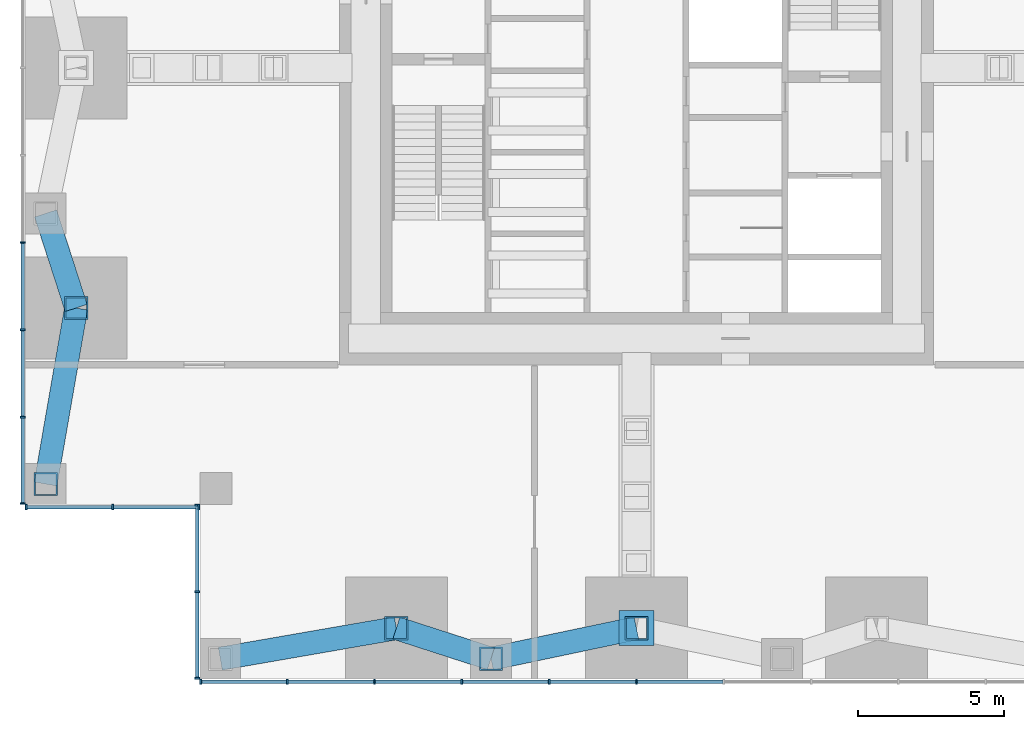
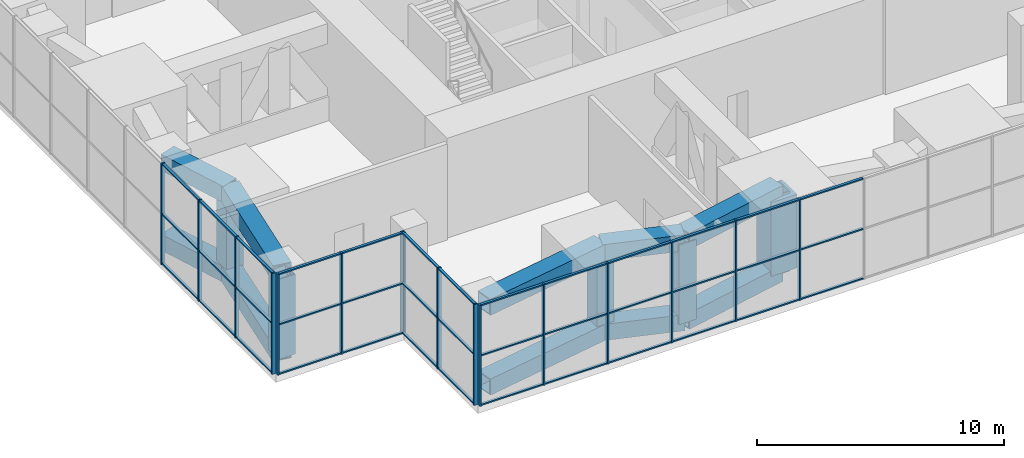
# One storey, part 2 of 13: 71 members, 4 elements without a shape of their own.
"""IFC4 building model written with IfcOpenShell, lengths in metres."""

from ifc_helpers import new_model, si_unit, direction, frame, origin, origin_2d, place, context, subcontext, project, spatial, rectangle, hollow_rectangle, extrude, material, material_profile, profile_set, type_object, element, aggregate, save


model = new_model("IFC4")

# Units and contexts
model_context = context("Model", 3, precision=1e-05, world=origin(), true_north=direction((0.0, 1.0)))
body_context = subcontext(model_context, "Body", "Model", "MODEL_VIEW")
ifc_project = project(units=[si_unit("LENGTHUNIT", "METRE"), si_unit("AREAUNIT", "SQUARE_METRE"), si_unit("VOLUMEUNIT", "CUBIC_METRE"), si_unit("PLANEANGLEUNIT", "RADIAN"), si_unit("MASSUNIT", "GRAM", prefix="KILO")], contexts=[model_context])

# Site, building, storey
site_placement = place(None, origin())
site = spatial("IfcSite", under=ifc_project, at=site_placement, CompositionType="ELEMENT")
building_placement = place(site_placement, origin())
building = spatial("IfcBuilding", under=site, at=building_placement, Name="Svetlomir Tower", CompositionType="ELEMENT")
storey_placement = place(building_placement, frame((0.0, 0.0, 86.5)))
storey = spatial("IfcBuildingStorey", under=building, at=storey_placement, Name="L20", CompositionType="ELEMENT", Elevation=86.5)

# Members
ifc_material_1 = material(Name="Steel S355", Category="steel")
ifc_material_profile_1 = material_profile(ifc_material_1, hollow_rectangle(XDim=0.800048828125, YDim=0.800048828125, WallThickness=0.050048828125, at=origin_2d()), Name="BOX 800x800x50")
ifc_profile_set_1 = profile_set([ifc_material_profile_1], Name="Steel S355")
member_type_1 = type_object("IfcMemberType", Name="BELT FRAME CHORD BOX 800x800x50", PredefinedType="CHORD", material=ifc_profile_set_1)
for number, where, z_axis, x_axis, name in (
    (1, (6.699951171875, 0.699951171875, 0.39990234375), (0.985270350891, 0.171003905378, 0.0), (-0.171003905378, 0.985270350891, 0.0), "Belt frame S L20 bottom chord 1"),
    (2, (6.699951171875, 0.699951171875, 4.35009765625), (0.985270350891, 0.171003905378, 0.0), (-0.171003905378, 0.985270350891, 0.0), "Belt frame S L20 top chord 1"),
):
    element("IfcMember", number, at=place(storey_placement, frame(where, z_axis=z_axis, x_axis=x_axis)), inside=storey, type_object=member_type_1, Name=name, PredefinedType="CHORD", context=body_context, shape_type="SweptSolid", body=[
        extrude(hollow_rectangle(XDim=0.800048828125, YDim=0.800048828125, WallThickness=0.050048828125, at=origin_2d()), origin(), (0.0, 0.0, 1.0), 6.140380859375),
    ])
for number, where, z_axis, x_axis, name in (
    (3, (12.75, 1.75, 0.39990234375), (0.951566360503, -0.307443428225, 0.0), (0.307443428225, 0.951566360503, 0.0), "Belt frame S L20 bottom chord 2"),
    (4, (12.75, 1.75, 4.35009765625), (0.951566360503, -0.307443428225, 0.0), (0.307443428225, 0.951566360503, 0.0), "Belt frame S L20 top chord 2"),
):
    element("IfcMember", number, at=place(storey_placement, frame(where, z_axis=z_axis, x_axis=x_axis)), inside=storey, type_object=member_type_1, Name=name, PredefinedType="CHORD", context=body_context, shape_type="SweptSolid", body=[
        extrude(hollow_rectangle(XDim=0.800048828125, YDim=0.800048828125, WallThickness=0.050048828125, at=origin_2d()), origin(), (0.0, 0.0, 1.0), 3.41552734375),
    ])
for number, where, z_axis, x_axis, name in (
    (5, (16.0, 0.699951171875, 0.39990234375), (0.978651574329, 0.205526387753, 0.0), (-0.205526387753, 0.978651574329, 0.0), "Belt frame S L20 bottom chord 3"),
    (6, (16.0, 0.699951171875, 4.35009765625), (0.978651574329, 0.205526387753, 0.0), (-0.205526387753, 0.978651574329, 0.0), "Belt frame S L20 top chord 3"),
):
    element("IfcMember", number, at=place(storey_placement, frame(where, z_axis=z_axis, x_axis=x_axis)), inside=storey, type_object=member_type_1, Name=name, PredefinedType="CHORD", context=body_context, shape_type="SweptSolid", body=[
        extrude(hollow_rectangle(XDim=0.800048828125, YDim=0.800048828125, WallThickness=0.050048828125, at=origin_2d()), origin(), (0.0, 0.0, 1.0), 5.109130859375),
    ])
for number, where, z_axis, x_axis, name in (
    (7, (0.699951171875, 6.699951171875, 0.39990234375), (0.171003905378, 0.985270350891, 0.0), (-0.985270350891, 0.171003905378, 0.0), "Belt frame W L20 bottom chord 1"),
    (8, (0.699951171875, 6.699951171875, 4.35009765625), (0.171003905378, 0.985270350891, 0.0), (-0.985270350891, 0.171003905378, 0.0), "Belt frame W L20 top chord 1"),
):
    element("IfcMember", number, at=place(storey_placement, frame(where, z_axis=z_axis, x_axis=x_axis)), inside=storey, type_object=member_type_1, Name=name, PredefinedType="CHORD", context=body_context, shape_type="SweptSolid", body=[
        extrude(hollow_rectangle(XDim=0.800048828125, YDim=0.800048828125, WallThickness=0.050048828125, at=origin_2d()), origin(), (0.0, 0.0, 1.0), 6.140380859375),
    ])
for number, where, z_axis, x_axis, name in (
    (9, (1.75, 12.75, 0.39990234375), (-0.307443428225, 0.951566360503, 0.0), (-0.951566360503, -0.307443428225, 0.0), "Belt frame W L20 bottom chord 2"),
    (10, (1.75, 12.75, 4.35009765625), (-0.307443428225, 0.951566360503, 0.0), (-0.951566360503, -0.307443428225, 0.0), "Belt frame W L20 top chord 2"),
):
    element("IfcMember", number, at=place(storey_placement, frame(where, z_axis=z_axis, x_axis=x_axis)), inside=storey, type_object=member_type_1, Name=name, PredefinedType="CHORD", context=body_context, shape_type="SweptSolid", body=[
        extrude(hollow_rectangle(XDim=0.800048828125, YDim=0.800048828125, WallThickness=0.050048828125, at=origin_2d()), origin(), (0.0, 0.0, 1.0), 3.41552734375),
    ])
ifc_material_2 = material(Name="Steel S355", Category="steel")
ifc_material_profile_2 = material_profile(ifc_material_2, hollow_rectangle(XDim=0.800048828125, YDim=0.800048828125, WallThickness=0.050048828125, at=origin_2d()), Name="BOX 800x800x50")
ifc_profile_set_2 = profile_set([ifc_material_profile_2], Name="Steel S355")
member_type_2 = type_object("IfcMemberType", Name="BELT FRAME POST BOX 800x800x50", PredefinedType="POST", material=ifc_profile_set_2)
for number, where, z_axis, x_axis, name in (
    (11, (12.75, 1.75, 0.39990234375), (0.0, 0.0, 1.0), (1.0, 0.0, 0.0), "Belt frame S L20 post 2"),
    (12, (16.0, 0.699951171875, 0.39990234375), (0.0, 0.0, 1.0), (1.0, 0.0, 0.0), "Belt frame S L20 post 3"),
    (13, (21.0, 1.75, 0.39990234375), (0.0, 0.0, 1.0), (1.0, 0.0, 0.0), "Belt frame S L20 post 4"),
    (14, (0.699951171875, 6.699951171875, 0.39990234375), (0.0, 0.0, 1.0), (1.0, 0.0, 0.0), "Belt frame W L20 post 1"),
    (15, (1.75, 12.75, 0.39990234375), (0.0, 0.0, 1.0), (1.0, 0.0, 0.0), "Belt frame W L20 post 2"),
):
    element("IfcMember", number, at=place(storey_placement, frame(where, z_axis=z_axis, x_axis=x_axis)), inside=storey, type_object=member_type_2, Name=name, PredefinedType="POST", context=body_context, shape_type="SweptSolid", body=[
        extrude(hollow_rectangle(XDim=0.800048828125, YDim=0.800048828125, WallThickness=0.050048828125, at=origin_2d()), origin(), (0.0, 0.0, 1.0), 3.9501953125),
    ])

# Curtain wall, members
ifc_material_3 = material(Name="Bronze anodised aluminium curtain wall", Category="aluminium")
curtain_wall_type = type_object("IfcCurtainWallType", Name="CURTAIN WALL CW3 PLANT LOUVRE", PredefinedType="NOTDEFINED", material=ifc_material_3)
curtain_wall_1_placement = place(storey_placement, origin())
curtain_wall_1 = element("IfcCurtainWall", 16, at=curtain_wall_1_placement, inside=storey, type_object=curtain_wall_type, Name="Curtain wall CW3 L20", PredefinedType="NOTDEFINED")
ifc_material_4 = material(Name="Bronze anodised aluminium", Category="aluminium")
ifc_material_profile_3 = material_profile(ifc_material_4, rectangle(XDim=0.06494140625, YDim=0.179931640625, at=origin_2d()), Name="AL 65x180")
ifc_profile_set_3 = profile_set([ifc_material_profile_3], Name="Bronze anodised aluminium 6063-T6")
member_type_3 = type_object("IfcMemberType", Name="CW3 MULLION 65x180", PredefinedType="MULLION", material=ifc_profile_set_3)
member_1_placement = place(storey_placement, frame((6.032470703125, -0.090087890625, 0.0), z_axis=(0.0, 0.0, 1.0), x_axis=(1.0, 0.0, 0.0)))
member_1 = element("IfcMember", 17, at=member_1_placement, type_object=member_type_3, Name="CW3 mullion 1", PredefinedType="MULLION", context=body_context, shape_type="SweptSolid", body=[
    extrude(rectangle(XDim=0.06494140625, YDim=0.179931640625, at=origin_2d()), origin(), (0.0, 0.0, 1.0), 5.0),
])
member_2_placement = place(storey_placement, frame((9.0, -0.090087890625, 0.0), z_axis=(0.0, 0.0, 1.0), x_axis=(1.0, 0.0, 0.0)))
member_2 = element("IfcMember", 18, at=member_2_placement, type_object=member_type_3, Name="CW3 mullion 2", PredefinedType="MULLION", context=body_context, shape_type="SweptSolid", body=[
    extrude(rectangle(XDim=0.06494140625, YDim=0.179931640625, at=origin_2d()), origin(), (0.0, 0.0, 1.0), 5.0),
])
member_3_placement = place(storey_placement, frame((12.0, -0.090087890625, 0.0), z_axis=(0.0, 0.0, 1.0), x_axis=(1.0, 0.0, 0.0)))
member_3 = element("IfcMember", 19, at=member_3_placement, type_object=member_type_3, Name="CW3 mullion 3", PredefinedType="MULLION", context=body_context, shape_type="SweptSolid", body=[
    extrude(rectangle(XDim=0.06494140625, YDim=0.179931640625, at=origin_2d()), origin(), (0.0, 0.0, 1.0), 5.0),
])
member_4_placement = place(storey_placement, frame((15.0, -0.090087890625, 0.0), z_axis=(0.0, 0.0, 1.0), x_axis=(1.0, 0.0, 0.0)))
member_4 = element("IfcMember", 20, at=member_4_placement, type_object=member_type_3, Name="CW3 mullion 4", PredefinedType="MULLION", context=body_context, shape_type="SweptSolid", body=[
    extrude(rectangle(XDim=0.06494140625, YDim=0.179931640625, at=origin_2d()), origin(), (0.0, 0.0, 1.0), 5.0),
])
member_5_placement = place(storey_placement, frame((18.0, -0.090087890625, 0.0), z_axis=(0.0, 0.0, 1.0), x_axis=(1.0, 0.0, 0.0)))
member_5 = element("IfcMember", 21, at=member_5_placement, type_object=member_type_3, Name="CW3 mullion 5", PredefinedType="MULLION", context=body_context, shape_type="SweptSolid", body=[
    extrude(rectangle(XDim=0.06494140625, YDim=0.179931640625, at=origin_2d()), origin(), (0.0, 0.0, 1.0), 5.0),
])
member_6_placement = place(storey_placement, frame((21.0, -0.090087890625, 0.0), z_axis=(0.0, 0.0, 1.0), x_axis=(1.0, 0.0, 0.0)))
member_6 = element("IfcMember", 22, at=member_6_placement, type_object=member_type_3, Name="CW3 mullion 6", PredefinedType="MULLION", context=body_context, shape_type="SweptSolid", body=[
    extrude(rectangle(XDim=0.06494140625, YDim=0.179931640625, at=origin_2d()), origin(), (0.0, 0.0, 1.0), 5.0),
])

curtain_wall_2_placement = place(storey_placement, origin())
curtain_wall_2 = element("IfcCurtainWall", 23, at=curtain_wall_2_placement, inside=storey, type_object=curtain_wall_type, Name="Curtain wall CW3 L20", PredefinedType="NOTDEFINED")
member_7_placement = place(storey_placement, frame((-0.090087890625, 15.0, 0.0), z_axis=(0.0, 0.0, 1.0), x_axis=(0.0, -1.0, 0.0)))
member_7 = element("IfcMember", 24, at=member_7_placement, type_object=member_type_3, Name="CW3 mullion 8", PredefinedType="MULLION", context=body_context, shape_type="SweptSolid", body=[
    extrude(rectangle(XDim=0.06494140625, YDim=0.179931640625, at=origin_2d()), origin(), (0.0, 0.0, 1.0), 5.0),
])
member_8_placement = place(storey_placement, frame((-0.090087890625, 12.0, 0.0), z_axis=(0.0, 0.0, 1.0), x_axis=(0.0, -1.0, 0.0)))
member_8 = element("IfcMember", 25, at=member_8_placement, type_object=member_type_3, Name="CW3 mullion 9", PredefinedType="MULLION", context=body_context, shape_type="SweptSolid", body=[
    extrude(rectangle(XDim=0.06494140625, YDim=0.179931640625, at=origin_2d()), origin(), (0.0, 0.0, 1.0), 5.0),
])
member_9_placement = place(storey_placement, frame((-0.090087890625, 9.0, 0.0), z_axis=(0.0, 0.0, 1.0), x_axis=(0.0, -1.0, 0.0)))
member_9 = element("IfcMember", 26, at=member_9_placement, type_object=member_type_3, Name="CW3 mullion 10", PredefinedType="MULLION", context=body_context, shape_type="SweptSolid", body=[
    extrude(rectangle(XDim=0.06494140625, YDim=0.179931640625, at=origin_2d()), origin(), (0.0, 0.0, 1.0), 5.0),
])
member_10_placement = place(storey_placement, frame((-0.090087890625, 6.032470703125, 0.0), z_axis=(0.0, 0.0, 1.0), x_axis=(0.0, -1.0, 0.0)))
member_10 = element("IfcMember", 27, at=member_10_placement, type_object=member_type_3, Name="CW3 mullion 11", PredefinedType="MULLION", context=body_context, shape_type="SweptSolid", body=[
    extrude(rectangle(XDim=0.06494140625, YDim=0.179931640625, at=origin_2d()), origin(), (0.0, 0.0, 1.0), 5.0),
])

curtain_wall_3_placement = place(storey_placement, origin())
curtain_wall_3 = element("IfcCurtainWall", 28, at=curtain_wall_3_placement, inside=storey, type_object=curtain_wall_type, Name="Curtain wall CW3 L20", PredefinedType="NOTDEFINED")
member_11_placement = place(storey_placement, frame((0.032470703125, 5.909912109375, 0.0), z_axis=(0.0, 0.0, 1.0), x_axis=(1.0, 0.0, 0.0)))
member_11 = element("IfcMember", 29, at=member_11_placement, type_object=member_type_3, Name="CW3 mullion 1", PredefinedType="MULLION", context=body_context, shape_type="SweptSolid", body=[
    extrude(rectangle(XDim=0.06494140625, YDim=0.179931640625, at=origin_2d()), origin(), (0.0, 0.0, 1.0), 5.0),
])
member_12_placement = place(storey_placement, frame((3.0, 5.909912109375, 0.0), z_axis=(0.0, 0.0, 1.0), x_axis=(1.0, 0.0, 0.0)))
member_12 = element("IfcMember", 30, at=member_12_placement, type_object=member_type_3, Name="CW3 mullion 2", PredefinedType="MULLION", context=body_context, shape_type="SweptSolid", body=[
    extrude(rectangle(XDim=0.06494140625, YDim=0.179931640625, at=origin_2d()), origin(), (0.0, 0.0, 1.0), 5.0),
])
member_13_placement = place(storey_placement, frame((5.967529296875, 5.909912109375, 0.0), z_axis=(0.0, 0.0, 1.0), x_axis=(1.0, 0.0, 0.0)))
member_13 = element("IfcMember", 31, at=member_13_placement, type_object=member_type_3, Name="CW3 mullion 3", PredefinedType="MULLION", context=body_context, shape_type="SweptSolid", body=[
    extrude(rectangle(XDim=0.06494140625, YDim=0.179931640625, at=origin_2d()), origin(), (0.0, 0.0, 1.0), 5.0),
])

curtain_wall_4_placement = place(storey_placement, origin())
curtain_wall_4 = element("IfcCurtainWall", 32, at=curtain_wall_4_placement, inside=storey, type_object=curtain_wall_type, Name="Curtain wall CW3 L20", PredefinedType="NOTDEFINED")
member_14_placement = place(storey_placement, frame((5.909912109375, 5.967529296875, 0.0), z_axis=(0.0, 0.0, 1.0), x_axis=(0.0, -1.0, 0.0)))
member_14 = element("IfcMember", 33, at=member_14_placement, type_object=member_type_3, Name="CW3 mullion 1", PredefinedType="MULLION", context=body_context, shape_type="SweptSolid", body=[
    extrude(rectangle(XDim=0.06494140625, YDim=0.179931640625, at=origin_2d()), origin(), (0.0, 0.0, 1.0), 5.0),
])
member_15_placement = place(storey_placement, frame((5.909912109375, 3.0, 0.0), z_axis=(0.0, 0.0, 1.0), x_axis=(0.0, -1.0, 0.0)))
member_15 = element("IfcMember", 34, at=member_15_placement, type_object=member_type_3, Name="CW3 mullion 2", PredefinedType="MULLION", context=body_context, shape_type="SweptSolid", body=[
    extrude(rectangle(XDim=0.06494140625, YDim=0.179931640625, at=origin_2d()), origin(), (0.0, 0.0, 1.0), 5.0),
])
member_16_placement = place(storey_placement, frame((5.909912109375, 0.032470703125, 0.0), z_axis=(0.0, 0.0, 1.0), x_axis=(0.0, -1.0, 0.0)))
member_16 = element("IfcMember", 35, at=member_16_placement, type_object=member_type_3, Name="CW3 mullion 3", PredefinedType="MULLION", context=body_context, shape_type="SweptSolid", body=[
    extrude(rectangle(XDim=0.06494140625, YDim=0.179931640625, at=origin_2d()), origin(), (0.0, 0.0, 1.0), 5.0),
])

# Member
ifc_material_5 = material(Name="Bronze anodised aluminium", Category="aluminium")
ifc_material_profile_4 = material_profile(ifc_material_5, rectangle(XDim=0.1201171875, YDim=0.06494140625, at=origin_2d()), Name="AL 120x65")
ifc_profile_set_4 = profile_set([ifc_material_profile_4], Name="Bronze anodised aluminium 6063-T6")
member_type_4 = type_object("IfcMemberType", Name="CW3 TRANSOM 65x120", PredefinedType="USERDEFINED", material=ifc_profile_set_4)
member_17_placement = place(storey_placement, frame((6.06494140625, -0.090087890625, 0.032470703125), z_axis=(1.0, 0.0, 0.0), x_axis=(0.0, 1.0, 0.0)))
member_17 = element("IfcMember", 36, at=member_17_placement, type_object=member_type_4, Name="CW3 transom 1.1", ObjectType="TRANSOM", PredefinedType="USERDEFINED", context=body_context, shape_type="SweptSolid", body=[
    extrude(rectangle(XDim=0.1201171875, YDim=0.06494140625, at=origin_2d()), origin(), (0.0, 0.0, 1.0), 2.902587890625),
])

member_18_placement = place(storey_placement, frame((6.06494140625, -0.090087890625, 2.48388671875), z_axis=(1.0, 0.0, 0.0), x_axis=(0.0, 1.0, 0.0)))
member_18 = element("IfcMember", 37, at=member_18_placement, type_object=member_type_4, Name="CW3 transom 1.2", ObjectType="TRANSOM", PredefinedType="USERDEFINED", context=body_context, shape_type="SweptSolid", body=[
    extrude(rectangle(XDim=0.1201171875, YDim=0.06494140625, at=origin_2d()), origin(), (0.0, 0.0, 1.0), 2.902587890625),
])

member_19_placement = place(storey_placement, frame((6.06494140625, -0.090087890625, 4.967529296875), z_axis=(1.0, 0.0, 0.0), x_axis=(0.0, 1.0, 0.0)))
member_19 = element("IfcMember", 38, at=member_19_placement, type_object=member_type_4, Name="CW3 transom 1.3", ObjectType="TRANSOM", PredefinedType="USERDEFINED", context=body_context, shape_type="SweptSolid", body=[
    extrude(rectangle(XDim=0.1201171875, YDim=0.06494140625, at=origin_2d()), origin(), (0.0, 0.0, 1.0), 2.902587890625),
])

member_20_placement = place(storey_placement, frame((9.032470703125, -0.090087890625, 0.032470703125), z_axis=(1.0, 0.0, 0.0), x_axis=(0.0, 1.0, 0.0)))
member_20 = element("IfcMember", 39, at=member_20_placement, type_object=member_type_4, Name="CW3 transom 2.1", ObjectType="TRANSOM", PredefinedType="USERDEFINED", context=body_context, shape_type="SweptSolid", body=[
    extrude(rectangle(XDim=0.1201171875, YDim=0.06494140625, at=origin_2d()), origin(), (0.0, 0.0, 1.0), 2.93505859375),
])

member_21_placement = place(storey_placement, frame((9.032470703125, -0.090087890625, 2.48388671875), z_axis=(1.0, 0.0, 0.0), x_axis=(0.0, 1.0, 0.0)))
member_21 = element("IfcMember", 40, at=member_21_placement, type_object=member_type_4, Name="CW3 transom 2.2", ObjectType="TRANSOM", PredefinedType="USERDEFINED", context=body_context, shape_type="SweptSolid", body=[
    extrude(rectangle(XDim=0.1201171875, YDim=0.06494140625, at=origin_2d()), origin(), (0.0, 0.0, 1.0), 2.93505859375),
])

member_22_placement = place(storey_placement, frame((9.032470703125, -0.090087890625, 4.967529296875), z_axis=(1.0, 0.0, 0.0), x_axis=(0.0, 1.0, 0.0)))
member_22 = element("IfcMember", 41, at=member_22_placement, type_object=member_type_4, Name="CW3 transom 2.3", ObjectType="TRANSOM", PredefinedType="USERDEFINED", context=body_context, shape_type="SweptSolid", body=[
    extrude(rectangle(XDim=0.1201171875, YDim=0.06494140625, at=origin_2d()), origin(), (0.0, 0.0, 1.0), 2.93505859375),
])

member_23_placement = place(storey_placement, frame((12.032470703125, -0.090087890625, 0.032470703125), z_axis=(1.0, 0.0, 0.0), x_axis=(0.0, 1.0, 0.0)))
member_23 = element("IfcMember", 42, at=member_23_placement, type_object=member_type_4, Name="CW3 transom 3.1", ObjectType="TRANSOM", PredefinedType="USERDEFINED", context=body_context, shape_type="SweptSolid", body=[
    extrude(rectangle(XDim=0.1201171875, YDim=0.06494140625, at=origin_2d()), origin(), (0.0, 0.0, 1.0), 2.93505859375),
])

member_24_placement = place(storey_placement, frame((12.032470703125, -0.090087890625, 2.48388671875), z_axis=(1.0, 0.0, 0.0), x_axis=(0.0, 1.0, 0.0)))
member_24 = element("IfcMember", 43, at=member_24_placement, type_object=member_type_4, Name="CW3 transom 3.2", ObjectType="TRANSOM", PredefinedType="USERDEFINED", context=body_context, shape_type="SweptSolid", body=[
    extrude(rectangle(XDim=0.1201171875, YDim=0.06494140625, at=origin_2d()), origin(), (0.0, 0.0, 1.0), 2.93505859375),
])

member_25_placement = place(storey_placement, frame((12.032470703125, -0.090087890625, 4.967529296875), z_axis=(1.0, 0.0, 0.0), x_axis=(0.0, 1.0, 0.0)))
member_25 = element("IfcMember", 44, at=member_25_placement, type_object=member_type_4, Name="CW3 transom 3.3", ObjectType="TRANSOM", PredefinedType="USERDEFINED", context=body_context, shape_type="SweptSolid", body=[
    extrude(rectangle(XDim=0.1201171875, YDim=0.06494140625, at=origin_2d()), origin(), (0.0, 0.0, 1.0), 2.93505859375),
])

member_26_placement = place(storey_placement, frame((15.032470703125, -0.090087890625, 0.032470703125), z_axis=(1.0, 0.0, 0.0), x_axis=(0.0, 1.0, 0.0)))
member_26 = element("IfcMember", 45, at=member_26_placement, type_object=member_type_4, Name="CW3 transom 4.1", ObjectType="TRANSOM", PredefinedType="USERDEFINED", context=body_context, shape_type="SweptSolid", body=[
    extrude(rectangle(XDim=0.1201171875, YDim=0.06494140625, at=origin_2d()), origin(), (0.0, 0.0, 1.0), 2.93505859375),
])

member_27_placement = place(storey_placement, frame((15.032470703125, -0.090087890625, 2.48388671875), z_axis=(1.0, 0.0, 0.0), x_axis=(0.0, 1.0, 0.0)))
member_27 = element("IfcMember", 46, at=member_27_placement, type_object=member_type_4, Name="CW3 transom 4.2", ObjectType="TRANSOM", PredefinedType="USERDEFINED", context=body_context, shape_type="SweptSolid", body=[
    extrude(rectangle(XDim=0.1201171875, YDim=0.06494140625, at=origin_2d()), origin(), (0.0, 0.0, 1.0), 2.93505859375),
])

member_28_placement = place(storey_placement, frame((15.032470703125, -0.090087890625, 4.967529296875), z_axis=(1.0, 0.0, 0.0), x_axis=(0.0, 1.0, 0.0)))
member_28 = element("IfcMember", 47, at=member_28_placement, type_object=member_type_4, Name="CW3 transom 4.3", ObjectType="TRANSOM", PredefinedType="USERDEFINED", context=body_context, shape_type="SweptSolid", body=[
    extrude(rectangle(XDim=0.1201171875, YDim=0.06494140625, at=origin_2d()), origin(), (0.0, 0.0, 1.0), 2.93505859375),
])

member_29_placement = place(storey_placement, frame((18.032470703125, -0.090087890625, 0.032470703125), z_axis=(1.0, 0.0, 0.0), x_axis=(0.0, 1.0, 0.0)))
member_29 = element("IfcMember", 48, at=member_29_placement, type_object=member_type_4, Name="CW3 transom 5.1", ObjectType="TRANSOM", PredefinedType="USERDEFINED", context=body_context, shape_type="SweptSolid", body=[
    extrude(rectangle(XDim=0.1201171875, YDim=0.06494140625, at=origin_2d()), origin(), (0.0, 0.0, 1.0), 2.93505859375),
])

member_30_placement = place(storey_placement, frame((18.032470703125, -0.090087890625, 2.48388671875), z_axis=(1.0, 0.0, 0.0), x_axis=(0.0, 1.0, 0.0)))
member_30 = element("IfcMember", 49, at=member_30_placement, type_object=member_type_4, Name="CW3 transom 5.2", ObjectType="TRANSOM", PredefinedType="USERDEFINED", context=body_context, shape_type="SweptSolid", body=[
    extrude(rectangle(XDim=0.1201171875, YDim=0.06494140625, at=origin_2d()), origin(), (0.0, 0.0, 1.0), 2.93505859375),
])

member_31_placement = place(storey_placement, frame((18.032470703125, -0.090087890625, 4.967529296875), z_axis=(1.0, 0.0, 0.0), x_axis=(0.0, 1.0, 0.0)))
member_31 = element("IfcMember", 50, at=member_31_placement, type_object=member_type_4, Name="CW3 transom 5.3", ObjectType="TRANSOM", PredefinedType="USERDEFINED", context=body_context, shape_type="SweptSolid", body=[
    extrude(rectangle(XDim=0.1201171875, YDim=0.06494140625, at=origin_2d()), origin(), (0.0, 0.0, 1.0), 2.93505859375),
])

member_32_placement = place(storey_placement, frame((21.032470703125, -0.090087890625, 0.032470703125), z_axis=(1.0, 0.0, 0.0), x_axis=(0.0, 1.0, 0.0)))
member_32 = element("IfcMember", 51, at=member_32_placement, type_object=member_type_4, Name="CW3 transom 6.1", ObjectType="TRANSOM", PredefinedType="USERDEFINED", context=body_context, shape_type="SweptSolid", body=[
    extrude(rectangle(XDim=0.1201171875, YDim=0.06494140625, at=origin_2d()), origin(), (0.0, 0.0, 1.0), 2.93505859375),
])

member_33_placement = place(storey_placement, frame((21.032470703125, -0.090087890625, 2.48388671875), z_axis=(1.0, 0.0, 0.0), x_axis=(0.0, 1.0, 0.0)))
member_33 = element("IfcMember", 52, at=member_33_placement, type_object=member_type_4, Name="CW3 transom 6.2", ObjectType="TRANSOM", PredefinedType="USERDEFINED", context=body_context, shape_type="SweptSolid", body=[
    extrude(rectangle(XDim=0.1201171875, YDim=0.06494140625, at=origin_2d()), origin(), (0.0, 0.0, 1.0), 2.93505859375),
])

member_34_placement = place(storey_placement, frame((21.032470703125, -0.090087890625, 4.967529296875), z_axis=(1.0, 0.0, 0.0), x_axis=(0.0, 1.0, 0.0)))
member_34 = element("IfcMember", 53, at=member_34_placement, type_object=member_type_4, Name="CW3 transom 6.3", ObjectType="TRANSOM", PredefinedType="USERDEFINED", context=body_context, shape_type="SweptSolid", body=[
    extrude(rectangle(XDim=0.1201171875, YDim=0.06494140625, at=origin_2d()), origin(), (0.0, 0.0, 1.0), 2.93505859375),
])

aggregate(curtain_wall_1, [member_1, member_2, member_3, member_4, member_5, member_6, member_17, member_18, member_19, member_20, member_21, member_22, member_23, member_24, member_25, member_26, member_27, member_28, member_29, member_30, member_31, member_32, member_33, member_34])

member_35_placement = place(storey_placement, frame((-0.090087890625, 14.967529296875, 0.032470703125), z_axis=(0.0, -1.0, 0.0), x_axis=(1.0, 0.0, 0.0)))
member_35 = element("IfcMember", 54, at=member_35_placement, type_object=member_type_4, Name="CW3 transom 8.1", ObjectType="TRANSOM", PredefinedType="USERDEFINED", context=body_context, shape_type="SweptSolid", body=[
    extrude(rectangle(XDim=0.1201171875, YDim=0.06494140625, at=origin_2d()), origin(), (0.0, 0.0, 1.0), 2.93505859375),
])

member_36_placement = place(storey_placement, frame((-0.090087890625, 14.967529296875, 2.48388671875), z_axis=(0.0, -1.0, 0.0), x_axis=(1.0, 0.0, 0.0)))
member_36 = element("IfcMember", 55, at=member_36_placement, type_object=member_type_4, Name="CW3 transom 8.2", ObjectType="TRANSOM", PredefinedType="USERDEFINED", context=body_context, shape_type="SweptSolid", body=[
    extrude(rectangle(XDim=0.1201171875, YDim=0.06494140625, at=origin_2d()), origin(), (0.0, 0.0, 1.0), 2.93505859375),
])

member_37_placement = place(storey_placement, frame((-0.090087890625, 14.967529296875, 4.967529296875), z_axis=(0.0, -1.0, 0.0), x_axis=(1.0, 0.0, 0.0)))
member_37 = element("IfcMember", 56, at=member_37_placement, type_object=member_type_4, Name="CW3 transom 8.3", ObjectType="TRANSOM", PredefinedType="USERDEFINED", context=body_context, shape_type="SweptSolid", body=[
    extrude(rectangle(XDim=0.1201171875, YDim=0.06494140625, at=origin_2d()), origin(), (0.0, 0.0, 1.0), 2.93505859375),
])

member_38_placement = place(storey_placement, frame((-0.090087890625, 11.967529296875, 0.032470703125), z_axis=(0.0, -1.0, 0.0), x_axis=(1.0, 0.0, 0.0)))
member_38 = element("IfcMember", 57, at=member_38_placement, type_object=member_type_4, Name="CW3 transom 9.1", ObjectType="TRANSOM", PredefinedType="USERDEFINED", context=body_context, shape_type="SweptSolid", body=[
    extrude(rectangle(XDim=0.1201171875, YDim=0.06494140625, at=origin_2d()), origin(), (0.0, 0.0, 1.0), 2.93505859375),
])

member_39_placement = place(storey_placement, frame((-0.090087890625, 11.967529296875, 2.48388671875), z_axis=(0.0, -1.0, 0.0), x_axis=(1.0, 0.0, 0.0)))
member_39 = element("IfcMember", 58, at=member_39_placement, type_object=member_type_4, Name="CW3 transom 9.2", ObjectType="TRANSOM", PredefinedType="USERDEFINED", context=body_context, shape_type="SweptSolid", body=[
    extrude(rectangle(XDim=0.1201171875, YDim=0.06494140625, at=origin_2d()), origin(), (0.0, 0.0, 1.0), 2.93505859375),
])

member_40_placement = place(storey_placement, frame((-0.090087890625, 11.967529296875, 4.967529296875), z_axis=(0.0, -1.0, 0.0), x_axis=(1.0, 0.0, 0.0)))
member_40 = element("IfcMember", 59, at=member_40_placement, type_object=member_type_4, Name="CW3 transom 9.3", ObjectType="TRANSOM", PredefinedType="USERDEFINED", context=body_context, shape_type="SweptSolid", body=[
    extrude(rectangle(XDim=0.1201171875, YDim=0.06494140625, at=origin_2d()), origin(), (0.0, 0.0, 1.0), 2.93505859375),
])

member_41_placement = place(storey_placement, frame((-0.090087890625, 8.967529296875, 0.032470703125), z_axis=(0.0, -1.0, 0.0), x_axis=(1.0, 0.0, 0.0)))
member_41 = element("IfcMember", 60, at=member_41_placement, type_object=member_type_4, Name="CW3 transom 10.1", ObjectType="TRANSOM", PredefinedType="USERDEFINED", context=body_context, shape_type="SweptSolid", body=[
    extrude(rectangle(XDim=0.1201171875, YDim=0.06494140625, at=origin_2d()), origin(), (0.0, 0.0, 1.0), 2.902587890625),
])

member_42_placement = place(storey_placement, frame((-0.090087890625, 8.967529296875, 2.48388671875), z_axis=(0.0, -1.0, 0.0), x_axis=(1.0, 0.0, 0.0)))
member_42 = element("IfcMember", 61, at=member_42_placement, type_object=member_type_4, Name="CW3 transom 10.2", ObjectType="TRANSOM", PredefinedType="USERDEFINED", context=body_context, shape_type="SweptSolid", body=[
    extrude(rectangle(XDim=0.1201171875, YDim=0.06494140625, at=origin_2d()), origin(), (0.0, 0.0, 1.0), 2.902587890625),
])

member_43_placement = place(storey_placement, frame((-0.090087890625, 8.967529296875, 4.967529296875), z_axis=(0.0, -1.0, 0.0), x_axis=(1.0, 0.0, 0.0)))
member_43 = element("IfcMember", 62, at=member_43_placement, type_object=member_type_4, Name="CW3 transom 10.3", ObjectType="TRANSOM", PredefinedType="USERDEFINED", context=body_context, shape_type="SweptSolid", body=[
    extrude(rectangle(XDim=0.1201171875, YDim=0.06494140625, at=origin_2d()), origin(), (0.0, 0.0, 1.0), 2.902587890625),
])

aggregate(curtain_wall_2, [member_7, member_8, member_9, member_10, member_35, member_36, member_37, member_38, member_39, member_40, member_41, member_42, member_43])

member_44_placement = place(storey_placement, frame((0.06494140625, 5.909912109375, 0.032470703125), z_axis=(1.0, 0.0, 0.0), x_axis=(0.0, 1.0, 0.0)))
member_44 = element("IfcMember", 63, at=member_44_placement, type_object=member_type_4, Name="CW3 transom 1.1", ObjectType="TRANSOM", PredefinedType="USERDEFINED", context=body_context, shape_type="SweptSolid", body=[
    extrude(rectangle(XDim=0.1201171875, YDim=0.06494140625, at=origin_2d()), origin(), (0.0, 0.0, 1.0), 2.902587890625),
])

member_45_placement = place(storey_placement, frame((0.06494140625, 5.909912109375, 2.48388671875), z_axis=(1.0, 0.0, 0.0), x_axis=(0.0, 1.0, 0.0)))
member_45 = element("IfcMember", 64, at=member_45_placement, type_object=member_type_4, Name="CW3 transom 1.2", ObjectType="TRANSOM", PredefinedType="USERDEFINED", context=body_context, shape_type="SweptSolid", body=[
    extrude(rectangle(XDim=0.1201171875, YDim=0.06494140625, at=origin_2d()), origin(), (0.0, 0.0, 1.0), 2.902587890625),
])

member_46_placement = place(storey_placement, frame((0.06494140625, 5.909912109375, 4.967529296875), z_axis=(1.0, 0.0, 0.0), x_axis=(0.0, 1.0, 0.0)))
member_46 = element("IfcMember", 65, at=member_46_placement, type_object=member_type_4, Name="CW3 transom 1.3", ObjectType="TRANSOM", PredefinedType="USERDEFINED", context=body_context, shape_type="SweptSolid", body=[
    extrude(rectangle(XDim=0.1201171875, YDim=0.06494140625, at=origin_2d()), origin(), (0.0, 0.0, 1.0), 2.902587890625),
])

member_47_placement = place(storey_placement, frame((3.032470703125, 5.909912109375, 0.032470703125), z_axis=(1.0, 0.0, 0.0), x_axis=(0.0, 1.0, 0.0)))
member_47 = element("IfcMember", 66, at=member_47_placement, type_object=member_type_4, Name="CW3 transom 2.1", ObjectType="TRANSOM", PredefinedType="USERDEFINED", context=body_context, shape_type="SweptSolid", body=[
    extrude(rectangle(XDim=0.1201171875, YDim=0.06494140625, at=origin_2d()), origin(), (0.0, 0.0, 1.0), 2.902587890625),
])

member_48_placement = place(storey_placement, frame((3.032470703125, 5.909912109375, 2.48388671875), z_axis=(1.0, 0.0, 0.0), x_axis=(0.0, 1.0, 0.0)))
member_48 = element("IfcMember", 67, at=member_48_placement, type_object=member_type_4, Name="CW3 transom 2.2", ObjectType="TRANSOM", PredefinedType="USERDEFINED", context=body_context, shape_type="SweptSolid", body=[
    extrude(rectangle(XDim=0.1201171875, YDim=0.06494140625, at=origin_2d()), origin(), (0.0, 0.0, 1.0), 2.902587890625),
])

member_49_placement = place(storey_placement, frame((3.032470703125, 5.909912109375, 4.967529296875), z_axis=(1.0, 0.0, 0.0), x_axis=(0.0, 1.0, 0.0)))
member_49 = element("IfcMember", 68, at=member_49_placement, type_object=member_type_4, Name="CW3 transom 2.3", ObjectType="TRANSOM", PredefinedType="USERDEFINED", context=body_context, shape_type="SweptSolid", body=[
    extrude(rectangle(XDim=0.1201171875, YDim=0.06494140625, at=origin_2d()), origin(), (0.0, 0.0, 1.0), 2.902587890625),
])

aggregate(curtain_wall_3, [member_11, member_12, member_13, member_44, member_45, member_46, member_47, member_48, member_49])

member_50_placement = place(storey_placement, frame((5.909912109375, 5.93505859375, 0.032470703125), z_axis=(0.0, -1.0, 0.0), x_axis=(1.0, 0.0, 0.0)))
member_50 = element("IfcMember", 69, at=member_50_placement, type_object=member_type_4, Name="CW3 transom 1.1", ObjectType="TRANSOM", PredefinedType="USERDEFINED", context=body_context, shape_type="SweptSolid", body=[
    extrude(rectangle(XDim=0.1201171875, YDim=0.06494140625, at=origin_2d()), origin(), (0.0, 0.0, 1.0), 2.902587890625),
])

member_51_placement = place(storey_placement, frame((5.909912109375, 5.93505859375, 2.48388671875), z_axis=(0.0, -1.0, 0.0), x_axis=(1.0, 0.0, 0.0)))
member_51 = element("IfcMember", 70, at=member_51_placement, type_object=member_type_4, Name="CW3 transom 1.2", ObjectType="TRANSOM", PredefinedType="USERDEFINED", context=body_context, shape_type="SweptSolid", body=[
    extrude(rectangle(XDim=0.1201171875, YDim=0.06494140625, at=origin_2d()), origin(), (0.0, 0.0, 1.0), 2.902587890625),
])

member_52_placement = place(storey_placement, frame((5.909912109375, 5.93505859375, 4.967529296875), z_axis=(0.0, -1.0, 0.0), x_axis=(1.0, 0.0, 0.0)))
member_52 = element("IfcMember", 71, at=member_52_placement, type_object=member_type_4, Name="CW3 transom 1.3", ObjectType="TRANSOM", PredefinedType="USERDEFINED", context=body_context, shape_type="SweptSolid", body=[
    extrude(rectangle(XDim=0.1201171875, YDim=0.06494140625, at=origin_2d()), origin(), (0.0, 0.0, 1.0), 2.902587890625),
])

member_53_placement = place(storey_placement, frame((5.909912109375, 2.967529296875, 0.032470703125), z_axis=(0.0, -1.0, 0.0), x_axis=(1.0, 0.0, 0.0)))
member_53 = element("IfcMember", 72, at=member_53_placement, type_object=member_type_4, Name="CW3 transom 2.1", ObjectType="TRANSOM", PredefinedType="USERDEFINED", context=body_context, shape_type="SweptSolid", body=[
    extrude(rectangle(XDim=0.1201171875, YDim=0.06494140625, at=origin_2d()), origin(), (0.0, 0.0, 1.0), 2.902587890625),
])

member_54_placement = place(storey_placement, frame((5.909912109375, 2.967529296875, 2.48388671875), z_axis=(0.0, -1.0, 0.0), x_axis=(1.0, 0.0, 0.0)))
member_54 = element("IfcMember", 73, at=member_54_placement, type_object=member_type_4, Name="CW3 transom 2.2", ObjectType="TRANSOM", PredefinedType="USERDEFINED", context=body_context, shape_type="SweptSolid", body=[
    extrude(rectangle(XDim=0.1201171875, YDim=0.06494140625, at=origin_2d()), origin(), (0.0, 0.0, 1.0), 2.902587890625),
])

member_55_placement = place(storey_placement, frame((5.909912109375, 2.967529296875, 4.967529296875), z_axis=(0.0, -1.0, 0.0), x_axis=(1.0, 0.0, 0.0)))
member_55 = element("IfcMember", 74, at=member_55_placement, type_object=member_type_4, Name="CW3 transom 2.3", ObjectType="TRANSOM", PredefinedType="USERDEFINED", context=body_context, shape_type="SweptSolid", body=[
    extrude(rectangle(XDim=0.1201171875, YDim=0.06494140625, at=origin_2d()), origin(), (0.0, 0.0, 1.0), 2.902587890625),
])

aggregate(curtain_wall_4, [member_14, member_15, member_16, member_50, member_51, member_52, member_53, member_54, member_55])

ifc_material_6 = material(Name="Steel S355", Category="steel")
ifc_material_profile_5 = material_profile(ifc_material_6, hollow_rectangle(XDim=1.199951171875, YDim=1.199951171875, WallThickness=0.199951171875, at=origin_2d()), Name="BOX 1200x1200x200")
ifc_profile_set_5 = profile_set([ifc_material_profile_5], Name="Steel S355")
member_type_5 = type_object("IfcMemberType", Name="OUTRIGGER END POST BOX 1200x1200x200", PredefinedType="POST", material=ifc_profile_set_5)
member_56_placement = place(storey_placement, frame((21.0, 1.75, 0.60009765625), z_axis=(0.0, 0.0, 1.0), x_axis=(1.0, 0.0, 0.0)))
element("IfcMember", 75, at=member_56_placement, inside=storey, type_object=member_type_5, Name="Outrigger S L20 end post", PredefinedType="POST", context=body_context, shape_type="SweptSolid", body=[
    extrude(hollow_rectangle(XDim=1.199951171875, YDim=1.199951171875, WallThickness=0.199951171875, at=origin_2d()), origin(), (0.0, 0.0, 1.0), 3.64990234375),
])

save(model, "model.ifc")
